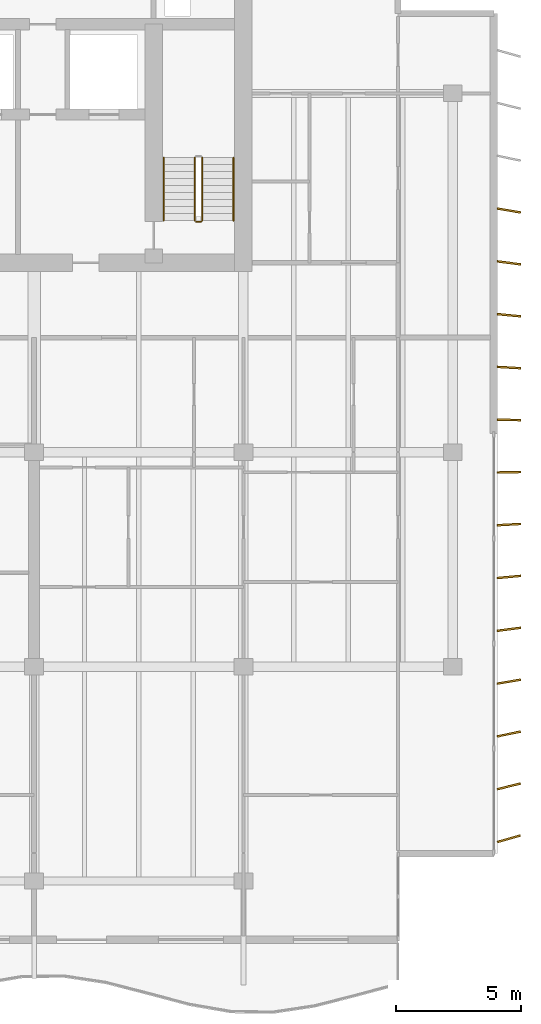
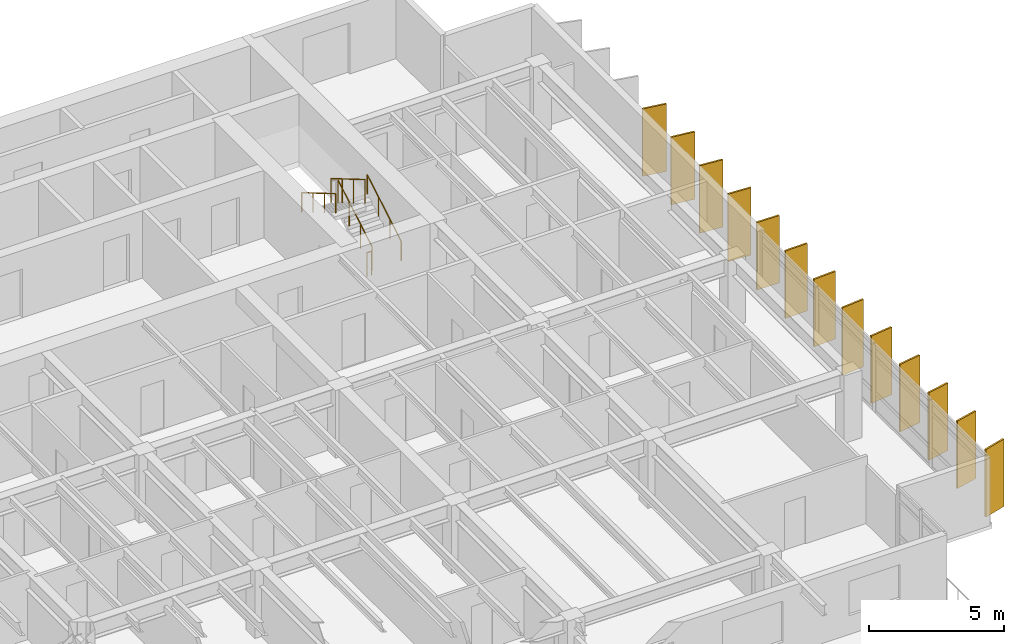
# One storey, part 14 of 16: 13 shading devices, 5 railings.
"""IFC4 building model written with IfcOpenShell, lengths in metres."""

from ifc_helpers import new_model, si_unit, direction, frame, origin, origin_2d, place, context, subcontext, project, spatial, rectangle, circle, extrude, material, material_profile, profile_set, type_object, element, save


model = new_model("IFC4")

# Units and contexts
model_context = context("Model", 3, precision=1e-05, world=origin(), true_north=direction((0.0, 1.0)))
body_context = subcontext(model_context, "Body", "Model", "MODEL_VIEW")
ifc_project = project(units=[si_unit("LENGTHUNIT", "METRE"), si_unit("AREAUNIT", "SQUARE_METRE"), si_unit("VOLUMEUNIT", "CUBIC_METRE"), si_unit("PLANEANGLEUNIT", "RADIAN"), si_unit("MASSUNIT", "GRAM", prefix="KILO")], contexts=[model_context])

# Site, building, storey
site_placement = place(None, origin())
site = spatial("IfcSite", under=ifc_project, at=site_placement, CompositionType="ELEMENT")
building_placement = place(site_placement, origin())
building = spatial("IfcBuilding", under=site, at=building_placement, Name="Caelmar Bay Residences", CompositionType="ELEMENT")
storey_placement = place(building_placement, frame((0.0, 0.0, 233.10009765625)))
storey = spatial("IfcBuildingStorey", under=building, at=storey_placement, Name="L65", CompositionType="ELEMENT", Elevation=233.10009765625)

# Railings
ifc_material_1 = material(Name="Painted galvanized steel stair guard 1100 mm", Category="steel")
railing_type_1 = type_object("IfcRailingType", Name="RL-GRD-1100", PredefinedType="GUARDRAIL", material=ifc_material_1)
railing_1_placement = place(storey_placement, frame((57.85009765625, 38.699951171875, 0.164794921875)))
element("IfcRailing", 1, at=railing_1_placement, inside=storey, type_object=railing_type_1, Name="L65 ST2 stair guard 1", PredefinedType="GUARDRAIL", context=body_context, shape_type="SweptSolid", body=[
    extrude(circle(Radius=0.02392578125, at=origin_2d()), frame((0.0, 0.0, 1.076171875), z_axis=(0.0, 0.86152411907, 0.507716645641), x_axis=(-1.0, 0.0, 0.0)), (0.0, 0.0, 1.0), 2.925048828125),
    extrude(circle(Radius=0.02099609375, at=origin_2d()), origin(), (0.0, 0.0, 1.0), 1.052001953125),
    extrude(circle(Radius=0.02099609375, at=origin_2d()), frame((0.0, 0.840087890625, 0.4951171875)), (0.0, 0.0, 1.0), 1.052001953125),
    extrude(circle(Radius=0.02099609375, at=origin_2d()), frame((0.0, 1.679931640625, 0.989990234375)), (0.0, 0.0, 1.0), 1.052001953125),
    extrude(circle(Radius=0.02099609375, at=origin_2d()), frame((0.0, 2.52001953125, 1.485107421875)), (0.0, 0.0, 1.0), 1.052001953125),
])
railing_2_placement = place(storey_placement, frame((57.550048828125, 41.219970703125, 1.81494140625)))
element("IfcRailing", 2, at=railing_2_placement, inside=storey, type_object=railing_type_1, Name="L65 ST2 stair guard 3", PredefinedType="GUARDRAIL", context=body_context, shape_type="SweptSolid", body=[
    extrude(circle(Radius=0.02392578125, at=origin_2d()), frame((0.0, 0.0, 1.076171875), z_axis=(0.0, -0.861560626758, 0.507654692109), x_axis=(1.0, 0.0, 0.0)), (0.0, 0.0, 1.0), 2.925048828125),
    extrude(circle(Radius=0.02099609375, at=origin_2d()), origin(), (0.0, 0.0, 1.0), 1.052001953125),
    extrude(circle(Radius=0.02099609375, at=origin_2d()), frame((0.0, -0.840087890625, 0.494873046875)), (0.0, 0.0, 1.0), 1.052001953125),
    extrude(circle(Radius=0.02099609375, at=origin_2d()), frame((0.0, -1.679931640625, 0.989990234375)), (0.0, 0.0, 1.0), 1.052001953125),
    extrude(circle(Radius=0.02099609375, at=origin_2d()), frame((0.0, -2.52001953125, 1.48486328125)), (0.0, 0.0, 1.0), 1.052001953125),
])
railing_3_placement = place(storey_placement, frame((57.800048828125, 38.64990234375, 0.0)))
element("IfcRailing", 3, at=railing_3_placement, inside=storey, type_object=railing_type_1, Name="L65 ST2 stair guard 4", PredefinedType="GUARDRAIL", context=body_context, shape_type="SweptSolid", body=[
    extrude(circle(Radius=0.02392578125, at=origin_2d()), frame((0.0, 0.0, 1.076171875), z_axis=(-1.0, 0.0, 0.0), x_axis=(0.0, -1.0, 0.0)), (0.0, 0.0, 1.0), 0.199951171875),
    extrude(circle(Radius=0.02099609375, at=origin_2d()), origin(), (0.0, 0.0, 1.0), 1.052001953125),
    extrude(circle(Radius=0.02099609375, at=origin_2d()), frame((-0.199951171875, 0.0, 0.0)), (0.0, 0.0, 1.0), 1.052001953125),
])
ifc_material_2 = material(Name="Brushed bronze stainless-steel tubular handrail 900 mm", Category="steel")
railing_type_2 = type_object("IfcRailingType", Name="RL-HND-900", PredefinedType="HANDRAIL", material=ifc_material_2)
railing_4_placement = place(storey_placement, frame((59.10009765625, 38.699951171875, 0.164794921875)))
element("IfcRailing", 4, at=railing_4_placement, inside=storey, type_object=railing_type_2, Name="L65 ST2 stair handrail 1", PredefinedType="HANDRAIL", context=body_context, shape_type="SweptSolid", body=[
    extrude(circle(Radius=0.02392578125, at=origin_2d()), frame((0.0, 0.0, 0.8759765625), z_axis=(0.0, 0.86152411907, 0.507716645641), x_axis=(-1.0, 0.0, 0.0)), (0.0, 0.0, 1.0), 2.925048828125),
    extrude(circle(Radius=0.02099609375, at=origin_2d()), origin(), (0.0, 0.0, 1.0), 0.851806640625),
    extrude(circle(Radius=0.02099609375, at=origin_2d()), frame((0.0, 0.840087890625, 0.4951171875)), (0.0, 0.0, 1.0), 0.851806640625),
    extrude(circle(Radius=0.02099609375, at=origin_2d()), frame((0.0, 1.679931640625, 0.989990234375)), (0.0, 0.0, 1.0), 0.851806640625),
    extrude(circle(Radius=0.02099609375, at=origin_2d()), frame((0.0, 2.52001953125, 1.485107421875)), (0.0, 0.0, 1.0), 0.851806640625),
])
railing_5_placement = place(storey_placement, frame((56.300048828125, 41.219970703125, 1.81494140625)))
element("IfcRailing", 5, at=railing_5_placement, inside=storey, type_object=railing_type_2, Name="L65 ST2 stair handrail 2", PredefinedType="HANDRAIL", context=body_context, shape_type="SweptSolid", body=[
    extrude(circle(Radius=0.02392578125, at=origin_2d()), frame((0.0, 0.0, 0.8759765625), z_axis=(0.0, -0.861560626758, 0.507654692109), x_axis=(1.0, 0.0, 0.0)), (0.0, 0.0, 1.0), 2.925048828125),
    extrude(circle(Radius=0.02099609375, at=origin_2d()), origin(), (0.0, 0.0, 1.0), 0.851806640625),
    extrude(circle(Radius=0.02099609375, at=origin_2d()), frame((0.0, -0.840087890625, 0.494873046875)), (0.0, 0.0, 1.0), 0.851806640625),
    extrude(circle(Radius=0.02099609375, at=origin_2d()), frame((0.0, -1.679931640625, 0.989990234375)), (0.0, 0.0, 1.0), 0.851806640625),
    extrude(circle(Radius=0.02099609375, at=origin_2d()), frame((0.0, -2.52001953125, 1.48486328125)), (0.0, 0.0, 1.0), 0.851806640625),
])

# Shading devices
ifc_material_3 = material(Name="Anodised architectural bronze aluminium 6063-T6", Category="aluminium")
ifc_material_profile = material_profile(ifc_material_3, rectangle(XDim=0.074951171875, YDim=0.949951171875, at=origin_2d()), Name="BRONZE-FIN-75X950")
ifc_profile_set = profile_set([ifc_material_profile], Name="Anodised architectural bronze aluminium 6063-T6")
shading_device_type = type_object("IfcShadingDeviceType", Name="SHD-FIN-950", PredefinedType="USERDEFINED", material=ifc_profile_set)
for number, where, z_axis, x_axis, name in (
    (6, (70.14990234375, 13.89990234375, 0.0), (0.0, 0.0, 1.0), (-0.275637355817, 0.961261695938, 0.0), "L65 East Bronze Solar Fin 1"),
    (7, (70.14990234375, 16.0, 0.0), (0.0, 0.0, 1.0), (-0.239719743609, 0.970842131618, 0.0), "L65 East Bronze Solar Fin 2"),
    (8, (70.14990234375, 18.10009765625, 0.0), (0.0, 0.0, 1.0), (-0.2032999874, 0.979116497217, 0.0), "L65 East Bronze Solar Fin 3"),
    (9, (70.14990234375, 20.199951171875, 0.0), (0.0, 0.0, 1.0), (-0.166768746716, 0.985996037071, 0.0), "L65 East Bronze Solar Fin 4"),
    (10, (70.14990234375, 22.300048828125, 0.0), (0.0, 0.0, 1.0), (-0.130007055036, 0.99151306882, 0.0), "L65 East Bronze Solar Fin 5"),
    (11, (70.14990234375, 24.39990234375, 0.0), (0.0, 0.0, 1.0), (-0.092891934994, 0.995676196569, 0.0), "L65 East Bronze Solar Fin 6"),
    (12, (70.14990234375, 26.5, 0.0), (0.0, 0.0, 1.0), (-0.055821504993, 0.998440764182, 0.0), "L65 East Bronze Solar Fin 7"),
    (13, (70.14990234375, 28.60009765625, 0.0), (0.0, 0.0, 1.0), (-0.018673937509, 0.999825626826, 0.0), "L65 East Bronze Solar Fin 8"),
    (14, (70.14990234375, 30.699951171875, 0.0), (0.0, 0.0, 1.0), (0.018673937509, 0.999825626826, 0.0), "L65 East Bronze Solar Fin 9"),
    (15, (70.14990234375, 32.800048828125, 0.0), (0.0, 0.0, 1.0), (0.055821504993, 0.998440764182, 0.0), "L65 East Bronze Solar Fin 10"),
    (16, (70.14990234375, 34.89990234375, 0.0), (0.0, 0.0, 1.0), (0.092891934994, 0.995676196569, 0.0), "L65 East Bronze Solar Fin 11"),
    (17, (70.14990234375, 37.0, 0.0), (0.0, 0.0, 1.0), (0.130007055036, 0.99151306882, 0.0), "L65 East Bronze Solar Fin 12"),
    (18, (70.14990234375, 39.10009765625, 0.0), (0.0, 0.0, 1.0), (0.166768746716, 0.985996037071, 0.0), "L65 East Bronze Solar Fin 13"),
):
    element("IfcShadingDevice", number, at=place(storey_placement, frame(where, z_axis=z_axis, x_axis=x_axis)), inside=storey, type_object=shading_device_type, Name=name, ObjectType="FIN", PredefinedType="USERDEFINED", context=body_context, shape_type="SweptSolid", body=[
        extrude(rectangle(XDim=0.074951171875, YDim=0.949951171875, at=origin_2d()), origin(), (0.0, 0.0, 1.0), 3.0498046875),
    ])

save(model, "model.ifc")
